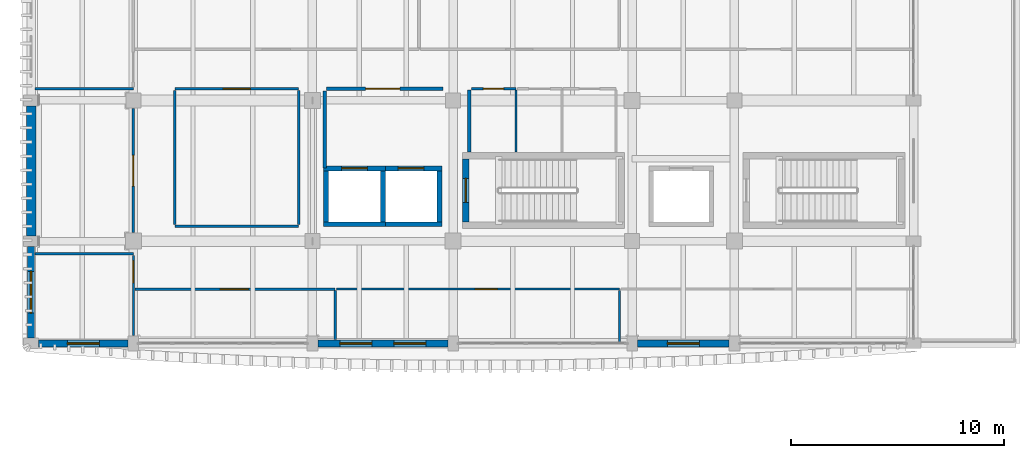
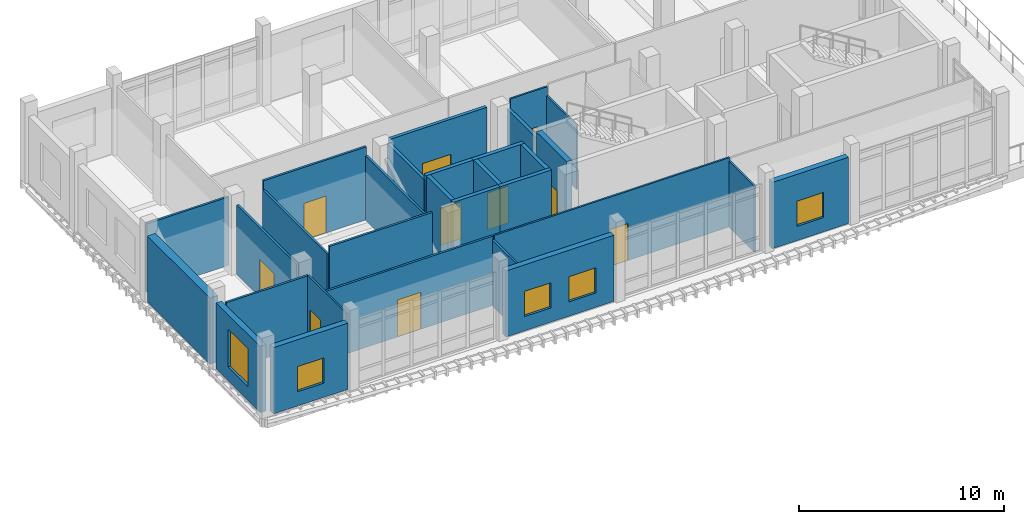
# One storey, part 27 of 50: 30 walls, 10 doors, 5 windows, 15 openings.
"""IFC4 building model written with IfcOpenShell, lengths in metres."""

from ifc_helpers import new_model, si_unit, direction, frame, frame_2d, origin, place, context, subcontext, project, spatial, rectangle, extrude, material, layer, layer_set, type_object, element, fill, save


model = new_model("IFC4")

# Units and contexts
model_context = context("Model", 3, precision=1e-05, world=origin(), true_north=direction((0.0, 1.0)))
body_context = subcontext(model_context, "Body", "Model", "MODEL_VIEW")
ifc_project = project(units=[si_unit("LENGTHUNIT", "METRE"), si_unit("AREAUNIT", "SQUARE_METRE"), si_unit("VOLUMEUNIT", "CUBIC_METRE"), si_unit("PLANEANGLEUNIT", "RADIAN"), si_unit("MASSUNIT", "GRAM", prefix="KILO")], contexts=[model_context])

# Site, building, storey
site_placement = place(None, origin())
site = spatial("IfcSite", under=ifc_project, at=site_placement, CompositionType="ELEMENT")
building_placement = place(site_placement, origin())
building = spatial("IfcBuilding", under=site, at=building_placement, Name="Dornvale Research Institute", CompositionType="ELEMENT")
storey_placement = place(building_placement, frame((0.0, 0.0, 19.800048828125)))
storey = spatial("IfcBuildingStorey", under=building, at=storey_placement, Name="L04", CompositionType="ELEMENT", Elevation=19.800048828125)

# Wall
ifc_material_1 = material(Name="Acoustic Insulated Double-Stud Laboratory Partition")
ifc_layer_1 = layer(ifc_material_1, 0.1201171875)
ifc_layer_set_1 = layer_set([ifc_layer_1], Name="Acoustic Insulated Double-Stud Laboratory Partition")
wall_type_1 = type_object("IfcWallType", Name="Partition_Dry_120", PredefinedType="PARTITIONING", material=ifc_layer_set_1)
wall_1_placement = place(storey_placement, frame((6.75, 104.5, 0.0), z_axis=(0.0, 0.0, 1.0), x_axis=(1.0, 0.0, 0.0)))
element("IfcWall", 1, at=wall_1_placement, inside=storey, type_object=wall_type_1, Name="L04 V5 interior partition #406", PredefinedType="PARTITIONING", context=body_context, shape_type="SweptSolid", body=[
    extrude(rectangle(XDim=5.800048828125, YDim=0.1201171875, at=frame_2d((2.89990234375, 0.0))), origin(), (0.0, 0.0, 1.0), 4.344970703125),
])

# Wall, opening, door
wall_2_placement = place(storey_placement, frame((6.75, 110.949951171875, 0.0), z_axis=(0.0, 0.0, 1.0), x_axis=(1.0, 0.0, 0.0)))
wall_2 = element("IfcWall", 2, at=wall_2_placement, inside=storey, type_object=wall_type_1, Name="L04 V5 interior partition #407", PredefinedType="PARTITIONING", context=body_context, shape_type="SweptSolid", body=[
    extrude(rectangle(XDim=5.800048828125, YDim=0.1201171875, at=frame_2d((2.89990234375, 0.0))), origin(), (0.0, 0.0, 1.0), 4.344970703125),
])
opening_1_placement = place(wall_2_placement, frame((2.27001953125, 0.0, 0.0)))
opening_1 = element("IfcOpeningElement", 3, at=opening_1_placement, cuts=wall_2, Name="Opening ID-10", PredefinedType="OPENING", context=body_context, shape_type="SweptSolid", body=[
    extrude(rectangle(XDim=1.260009765625, YDim=2.199951171875, at=frame_2d((0.6298828125, 1.10009765625))), frame((0.0, 0.074951171875, 0.0), z_axis=(0.0, -1.0, 0.0), x_axis=(1.0, 0.0, 0.0)), (0.0, 0.0, 1.0), 0.150146484375),
])
ifc_material_2 = material(Name="Phenolic-Faced Solid-Core Laboratory Door Assembly")
door_type_1 = type_object("IfcDoorType", Name="Door_DryLab_1260x2200", OperationType="SINGLE_SWING_LEFT", PredefinedType="DOOR", material=ifc_material_2)
door_1_placement = place(opening_1_placement, origin())
door_1 = element("IfcDoor", 4, at=door_1_placement, inside=storey, type_object=door_type_1, Name="L04 Atmospheric Sensor Calibration Lab L04 door #164", OperationType="SINGLE_SWING_LEFT", OverallHeight=2.199951171875, OverallWidth=1.260009765625, PredefinedType="DOOR", context=body_context, shape_type="SweptSolid", body=[
    extrude(rectangle(XDim=1.260009765625, YDim=2.199951171875, at=frame_2d((0.6298828125, 1.10009765625))), frame((0.0, 0.02490234375, 0.0), z_axis=(0.0, -1.0, 0.0), x_axis=(1.0, 0.0, 0.0)), (0.0, 0.0, 1.0), 0.050048828125),
])
fill(opening_1, door_1)

# Walls
for number, where, z_axis, x_axis, name in (
    (5, (6.75, 104.574951171875, 0.0), (0.0, 0.0, 1.0), (0.0, 1.0, 0.0), "L04 V5 interior partition #408"),
    (6, (12.550048828125, 104.574951171875, 0.0), (0.0, 0.0, 1.0), (0.0, 1.0, 0.0), "L04 V5 interior partition #409"),
):
    element("IfcWall", number, at=place(storey_placement, frame(where, z_axis=z_axis, x_axis=x_axis)), inside=storey, type_object=wall_type_1, Name=name, PredefinedType="PARTITIONING", context=body_context, shape_type="SweptSolid", body=[
        extrude(rectangle(XDim=6.300048828125, YDim=0.1201171875, at=frame_2d((3.14990234375, 0.0))), origin(), (0.0, 0.0, 1.0), 3.829833984375),
    ])
for number, where, z_axis, x_axis, name in (
    (7, (0.175048828125, 103.199951171875, 0.0), (0.0, 0.0, 1.0), (1.0, 0.0, 0.0), "L04 V5 interior partition #410"),
    (8, (0.175048828125, 110.949951171875, 0.0), (0.0, 0.0, 1.0), (1.0, 0.0, 0.0), "L04 V5 interior partition #411"),
):
    element("IfcWall", number, at=place(storey_placement, frame(where, z_axis=z_axis, x_axis=x_axis)), inside=storey, type_object=wall_type_1, Name=name, PredefinedType="PARTITIONING", context=body_context, shape_type="SweptSolid", body=[
        extrude(rectangle(XDim=4.625, YDim=0.1201171875, at=frame_2d((2.3125, 0.0))), origin(), (0.0, 0.0, 1.0), 4.079833984375),
    ])

# Wall, opening, door
wall_3_placement = place(storey_placement, frame((4.800048828125, 104.195068359375, 0.0), z_axis=(0.0, 0.0, 1.0), x_axis=(0.0, 1.0, 0.0)))
wall_3 = element("IfcWall", 9, at=wall_3_placement, inside=storey, type_object=wall_type_1, Name="L04 V5 interior partition #412", PredefinedType="PARTITIONING", context=body_context, shape_type="SweptSolid", body=[
    extrude(rectangle(XDim=5.8349609375, YDim=0.1201171875, at=frame_2d((2.91748046875, 0.0))), origin(), (0.0, 0.0, 1.0), 4.1298828125),
])
opening_2_placement = place(wall_3_placement, frame((2.18505859375, 0.0, 0.0)))
opening_2 = element("IfcOpeningElement", 10, at=opening_2_placement, cuts=wall_3, Name="Opening ID-07", PredefinedType="OPENING", context=body_context, shape_type="SweptSolid", body=[
    extrude(rectangle(XDim=1.43994140625, YDim=2.25, at=frame_2d((0.719970703125, 1.125))), frame((0.0, 0.074951171875, 0.0), z_axis=(0.0, -1.0, 0.0), x_axis=(1.0, 0.0, 0.0)), (0.0, 0.0, 1.0), 0.150146484375),
])
ifc_material_3 = material(Name="Insulated Fire-Rated Hollow Metal Door Assembly")
door_type_2 = type_object("IfcDoorType", Name="Door_DryLab_1440x2250", OperationType="SINGLE_SWING_LEFT", PredefinedType="DOOR", material=ifc_material_3)
door_2_placement = place(opening_2_placement, origin())
door_2 = element("IfcDoor", 11, at=door_2_placement, inside=storey, type_object=door_type_2, Name="L04 Barometric Reference Instrument Room L04 door #165", OperationType="SINGLE_SWING_RIGHT", OverallHeight=2.25, OverallWidth=1.43994140625, PredefinedType="DOOR", context=body_context, shape_type="SweptSolid", body=[
    extrude(rectangle(XDim=1.43994140625, YDim=2.25, at=frame_2d((0.719970703125, 1.125))), frame((0.0, 0.02490234375, 0.0), z_axis=(0.0, -1.0, 0.0), x_axis=(1.0, 0.0, 0.0)), (0.0, 0.0, 1.0), 0.050048828125),
])
fill(opening_2, door_2)

wall_4_placement = place(storey_placement, frame((4.864990234375, 101.550048828125, 0.0), z_axis=(0.0, 0.0, 1.0), x_axis=(1.0, 0.0, 0.0)))
wall_4 = element("IfcWall", 12, at=wall_4_placement, inside=storey, type_object=wall_type_1, Name="L04 V5 interior partition #421", PredefinedType="PARTITIONING", context=body_context, shape_type="SweptSolid", body=[
    extrude(rectangle(XDim=9.39501953125, YDim=0.1201171875, at=frame_2d((4.697509765625, 0.0))), origin(), (0.0, 0.0, 1.0), 4.1298828125),
])
opening_3_placement = place(wall_4_placement, frame((4.0048828125, 0.0, 0.0)))
opening_3 = element("IfcOpeningElement", 13, at=opening_3_placement, cuts=wall_4, Name="Opening ID-09", PredefinedType="OPENING", context=body_context, shape_type="SweptSolid", body=[
    extrude(rectangle(XDim=1.320068359375, YDim=2.199951171875, at=frame_2d((0.66015625, 1.10009765625))), frame((0.0, 0.074951171875, 0.0), z_axis=(0.0, -1.0, 0.0), x_axis=(1.0, 0.0, 0.0)), (0.0, 0.0, 1.0), 0.150146484375),
])
ifc_material_4 = material(Name="Phenolic-Faced Solid-Core Laboratory Door Assembly")
door_type_3 = type_object("IfcDoorType", Name="Door_DryLab_1320x2200", OperationType="SINGLE_SWING_LEFT", PredefinedType="DOOR", material=ifc_material_4)
door_3_placement = place(opening_3_placement, origin())
door_3 = element("IfcDoor", 14, at=door_3_placement, inside=storey, type_object=door_type_3, Name="L04 Atmospheric Physics Dry Laboratory door #171", OperationType="SINGLE_SWING_RIGHT", OverallHeight=2.199951171875, OverallWidth=1.320068359375, PredefinedType="DOOR", context=body_context, shape_type="SweptSolid", body=[
    extrude(rectangle(XDim=1.320068359375, YDim=2.199951171875, at=frame_2d((0.66015625, 1.10009765625))), frame((0.0, 0.02490234375, 0.0), z_axis=(0.0, -1.0, 0.0), x_axis=(1.0, 0.0, 0.0)), (0.0, 0.0, 1.0), 0.050048828125),
])
fill(opening_3, door_3)

# Wall
wall_5_placement = place(storey_placement, frame((14.260009765625, 99.175048828125, 0.0), z_axis=(0.0, 0.0, 1.0), x_axis=(0.0, 1.0, 0.0)))
element("IfcWall", 15, at=wall_5_placement, inside=storey, type_object=wall_type_1, Name="L04 V5 interior partition #422", PredefinedType="PARTITIONING", context=body_context, shape_type="SweptSolid", body=[
    extrude(rectangle(XDim=2.300048828125, YDim=0.1201171875, at=frame_2d((1.14990234375, 0.0))), origin(), (0.0, 0.0, 1.0), 3.929931640625),
])

# Wall, opening, door
ifc_material_5 = material(Name="Fire-Rated Gypsum Board on Cold-Formed Steel Studs", Category="steel")
ifc_layer_2 = layer(ifc_material_5, 0.179931640625)
ifc_layer_set_2 = layer_set([ifc_layer_2], Name="Fire-Rated Gypsum Board on Cold-Formed Steel Studs")
wall_type_2 = type_object("IfcWallType", Name="Partition_FireLobby_180", PredefinedType="PARTITIONING", material=ifc_layer_set_2)
wall_6_placement = place(storey_placement, frame((13.85009765625, 110.949951171875, 0.0), z_axis=(0.0, 0.0, 1.0), x_axis=(1.0, 0.0, 0.0)))
wall_6 = element("IfcWall", 16, at=wall_6_placement, inside=storey, type_object=wall_type_2, Name="L04 Fire Service Access Elevator Lobby north rated partition", PredefinedType="PARTITIONING", context=body_context, shape_type="SweptSolid", body=[
    extrude(rectangle(XDim=5.469970703125, YDim=0.179931640625, at=frame_2d((2.73486328125, 0.0))), origin(), (0.0, 0.0, 1.0), 4.344970703125),
])
opening_4_placement = place(wall_6_placement, frame((1.85009765625, 0.0, 0.0)))
opening_4 = element("IfcOpeningElement", 17, at=opening_4_placement, cuts=wall_6, Name="Opening FD-01", PredefinedType="OPENING", context=body_context, shape_type="SweptSolid", body=[
    extrude(rectangle(XDim=1.60009765625, YDim=2.25, at=frame_2d((0.800048828125, 1.125))), frame((0.0, 0.10498046875, 0.0), z_axis=(0.0, -1.0, 0.0), x_axis=(1.0, 0.0, 0.0)), (0.0, 0.0, 1.0), 0.2099609375),
])
ifc_material_6 = material(Name="Insulated Fire-Rated Hollow Metal Door Assembly")
door_type_4 = type_object("IfcDoorType", Name="Door_FireLobby_1600x2250", OperationType="SINGLE_SWING_LEFT", PredefinedType="DOOR", material=ifc_material_6)
door_4_placement = place(opening_4_placement, origin())
door_4 = element("IfcDoor", 18, at=door_4_placement, inside=storey, type_object=door_type_4, Name="L04 Fire Service Access Elevator Lobby door", OperationType="DOUBLE_DOOR_SINGLE_SWING", OverallHeight=2.25, OverallWidth=1.60009765625, PredefinedType="DOOR", context=body_context, shape_type="SweptSolid", body=[
    extrude(rectangle(XDim=1.60009765625, YDim=2.25, at=frame_2d((0.800048828125, 1.125))), frame((0.0, 0.02490234375, 0.0), z_axis=(0.0, -1.0, 0.0), x_axis=(1.0, 0.0, 0.0)), (0.0, 0.0, 1.0), 0.050048828125),
])
fill(opening_4, door_4)

# Walls
wall_7_placement = place(storey_placement, frame((13.780029296875, 107.22998046875, 0.0), z_axis=(0.0, 0.0, 1.0), x_axis=(0.0, 1.0, 0.0)))
element("IfcWall", 19, at=wall_7_placement, inside=storey, type_object=wall_type_2, Name="L04 Fire Service Access Elevator Lobby west rated partition", PredefinedType="PARTITIONING", context=body_context, shape_type="SweptSolid", body=[
    extrude(rectangle(XDim=3.610107421875, YDim=0.179931640625, at=frame_2d((1.80517578125, 0.0))), origin(), (0.0, 0.0, 1.0), 4.179931640625),
])
wall_8_placement = place(storey_placement, frame((20.56005859375, 107.97998046875, 0.0), z_axis=(0.0, 0.0, 1.0), x_axis=(0.0, 1.0, 0.0)))
element("IfcWall", 20, at=wall_8_placement, inside=storey, type_object=wall_type_2, Name="L04 Fire Service Access Elevator Lobby east rated partition", PredefinedType="PARTITIONING", context=body_context, shape_type="SweptSolid", body=[
    extrude(rectangle(XDim=2.909912109375, YDim=0.179931640625, at=frame_2d((1.455078125, 0.0))), origin(), (0.0, 0.0, 1.0), 3.829833984375),
])

# Wall, opening, door
ifc_material_7 = material(Name="Acoustic Insulated Double-Stud Laboratory Partition")
ifc_layer_3 = layer(ifc_material_7, 0.10009765625)
ifc_layer_set_3 = layer_set([ifc_layer_3], Name="Acoustic Insulated Double-Stud Laboratory Partition")
wall_type_3 = type_object("IfcWallType", Name="Partition_Office_100", PredefinedType="PARTITIONING", material=ifc_layer_set_3)
wall_9_placement = place(storey_placement, frame((20.6650390625, 110.949951171875, 0.0), z_axis=(0.0, 0.0, 1.0), x_axis=(1.0, 0.0, 0.0)))
wall_9 = element("IfcWall", 21, at=wall_9_placement, inside=storey, type_object=wall_type_3, Name="L04 V5 interior partition #400", PredefinedType="PARTITIONING", context=body_context, shape_type="SweptSolid", body=[
    extrude(rectangle(XDim=2.0849609375, YDim=0.10009765625, at=frame_2d((1.04248046875, 0.0))), origin(), (0.0, 0.0, 1.0), 4.344970703125),
])
opening_5_placement = place(wall_9_placement, frame((0.56005859375, 0.0, 0.0)))
opening_5 = element("IfcOpeningElement", 22, at=opening_5_placement, cuts=wall_9, Name="Opening ID-23", PredefinedType="OPENING", context=body_context, shape_type="SweptSolid", body=[
    extrude(rectangle(XDim=0.949951171875, YDim=2.14990234375, at=frame_2d((0.47509765625, 1.074951171875))), frame((0.0, 0.06494140625, 0.0), z_axis=(0.0, -1.0, 0.0), x_axis=(1.0, 0.0, 0.0)), (0.0, 0.0, 1.0), 0.130126953125),
])
ifc_material_8 = material(Name="Phenolic-Faced Solid-Core Laboratory Door Assembly")
door_type_5 = type_object("IfcDoorType", Name="Door_WC_950x2150", OperationType="SINGLE_SWING_LEFT", PredefinedType="DOOR", material=ifc_material_8)
door_5_placement = place(opening_5_placement, origin())
door_5 = element("IfcDoor", 23, at=door_5_placement, inside=storey, type_object=door_type_5, Name="L04 Male Restroom L04 door #161", OperationType="SINGLE_SWING_RIGHT", OverallHeight=2.14990234375, OverallWidth=0.949951171875, PredefinedType="DOOR", context=body_context, shape_type="SweptSolid", body=[
    extrude(rectangle(XDim=0.949951171875, YDim=2.14990234375, at=frame_2d((0.47509765625, 1.074951171875))), frame((0.0, 0.02490234375, 0.0), z_axis=(0.0, -1.0, 0.0), x_axis=(1.0, 0.0, 0.0)), (0.0, 0.0, 1.0), 0.050048828125),
])
fill(opening_5, door_5)

# Wall
wall_10_placement = place(storey_placement, frame((22.75, 107.97998046875, 0.0), z_axis=(0.0, 0.0, 1.0), x_axis=(0.0, 1.0, 0.0)))
element("IfcWall", 24, at=wall_10_placement, inside=storey, type_object=wall_type_3, Name="L04 V5 interior partition #401", PredefinedType="PARTITIONING", context=body_context, shape_type="SweptSolid", body=[
    extrude(rectangle(XDim=2.905029296875, YDim=0.10009765625, at=frame_2d((1.45263671875, 0.0))), origin(), (0.0, 0.0, 1.0), 3.829833984375),
])

# Wall, opening, door
wall_11_placement = place(storey_placement, frame((4.800048828125, 99.3701171875, 0.0), z_axis=(0.0, 0.0, 1.0), x_axis=(0.0, 1.0, 0.0)))
wall_11 = element("IfcWall", 25, at=wall_11_placement, inside=storey, type_object=wall_type_3, Name="L04 V5 interior partition #420", PredefinedType="PARTITIONING", context=body_context, shape_type="SweptSolid", body=[
    extrude(rectangle(XDim=3.7548828125, YDim=0.10009765625, at=frame_2d((1.87744140625, 0.0))), origin(), (0.0, 0.0, 1.0), 4.1298828125),
])
opening_6_placement = place(wall_11_placement, frame((2.485107421875, 0.0, 0.0)))
opening_6 = element("IfcOpeningElement", 26, at=opening_6_placement, cuts=wall_11, Name="Opening ID-20", PredefinedType="OPENING", context=body_context, shape_type="SweptSolid", body=[
    extrude(rectangle(XDim=1.02001953125, YDim=2.199951171875, at=frame_2d((0.510009765625, 1.10009765625))), frame((0.0, 0.06494140625, 0.0), z_axis=(0.0, -1.0, 0.0), x_axis=(1.0, 0.0, 0.0)), (0.0, 0.0, 1.0), 0.130126953125),
])
ifc_material_9 = material(Name="Phenolic-Faced Solid-Core Laboratory Door Assembly")
door_type_6 = type_object("IfcDoorType", Name="Door_WriteUp_1020x2200", OperationType="SINGLE_SWING_LEFT", PredefinedType="DOOR", material=ifc_material_9)
door_6_placement = place(opening_6_placement, origin())
door_6 = element("IfcDoor", 27, at=door_6_placement, inside=storey, type_object=door_type_6, Name="L04 Research Instrument Study L04 door #170", OperationType="SINGLE_SWING_LEFT", OverallHeight=2.199951171875, OverallWidth=1.02001953125, PredefinedType="DOOR", context=body_context, shape_type="SweptSolid", body=[
    extrude(rectangle(XDim=1.02001953125, YDim=2.199951171875, at=frame_2d((0.510009765625, 1.10009765625))), frame((0.0, 0.02490234375, 0.0), z_axis=(0.0, -1.0, 0.0), x_axis=(1.0, 0.0, 0.0)), (0.0, 0.0, 1.0), 0.050048828125),
])
fill(opening_6, door_6)

wall_12_placement = place(storey_placement, frame((14.3349609375, 101.550048828125, 0.0), z_axis=(0.0, 0.0, 1.0), x_axis=(1.0, 0.0, 0.0)))
wall_12 = element("IfcWall", 28, at=wall_12_placement, inside=storey, type_object=wall_type_3, Name="L04 V5 interior partition #423", PredefinedType="PARTITIONING", context=body_context, shape_type="SweptSolid", body=[
    extrude(rectangle(XDim=13.26513671875, YDim=0.10009765625, at=frame_2d((6.632568359375, 0.0))), origin(), (0.0, 0.0, 1.0), 4.1298828125),
])
opening_7_placement = place(wall_12_placement, frame((6.5048828125, 0.0, 0.0)))
opening_7 = element("IfcOpeningElement", 29, at=opening_7_placement, cuts=wall_12, Name="Opening ID-20", PredefinedType="OPENING", context=body_context, shape_type="SweptSolid", body=[
    extrude(rectangle(XDim=1.02001953125, YDim=2.199951171875, at=frame_2d((0.510009765625, 1.10009765625))), frame((0.0, 0.06494140625, 0.0), z_axis=(0.0, -1.0, 0.0), x_axis=(1.0, 0.0, 0.0)), (0.0, 0.0, 1.0), 0.130126953125),
])
door_7_placement = place(opening_7_placement, origin())
door_7 = element("IfcDoor", 30, at=door_7_placement, inside=storey, type_object=door_type_6, Name="L04 Researcher Write-Up Studio L04-S door #172", OperationType="SINGLE_SWING_LEFT", OverallHeight=2.199951171875, OverallWidth=1.02001953125, PredefinedType="DOOR", context=body_context, shape_type="SweptSolid", body=[
    extrude(rectangle(XDim=1.02001953125, YDim=2.199951171875, at=frame_2d((0.510009765625, 1.10009765625))), frame((0.0, 0.02490234375, 0.0), z_axis=(0.0, -1.0, 0.0), x_axis=(1.0, 0.0, 0.0)), (0.0, 0.0, 1.0), 0.050048828125),
])
fill(opening_7, door_7)

# Wall
wall_13_placement = place(storey_placement, frame((27.60009765625, 99.0400390625, 0.0), z_axis=(0.0, 0.0, 1.0), x_axis=(0.0, 1.0, 0.0)))
element("IfcWall", 31, at=wall_13_placement, inside=storey, type_object=wall_type_3, Name="L04 V5 interior partition #424", PredefinedType="PARTITIONING", context=body_context, shape_type="SweptSolid", body=[
    extrude(rectangle(XDim=2.445068359375, YDim=0.10009765625, at=frame_2d((1.22265625, 0.0))), origin(), (0.0, 0.0, 1.0), 3.929931640625),
])

# Wall, opening, door
ifc_material_10 = material(Name="Concrete f'c 50 MPa (C40/50)", Category="concrete")
ifc_layer_4 = layer(ifc_material_10, 0.300048828125)
ifc_layer_set_4 = layer_set([ifc_layer_4], Name="Concrete f'c 50 MPa (C40/50)")
wall_type_4 = type_object("IfcWallType", Name="ShearWall_Core_300", PredefinedType="SHEAR", material=ifc_layer_set_4)
wall_14_placement = place(storey_placement, frame((20.39990234375, 104.699951171875, 0.0), z_axis=(0.0, 0.0, 1.0), x_axis=(0.0, 1.0, 0.0)))
wall_14 = element("IfcWall", 32, at=wall_14_placement, inside=storey, type_object=wall_type_4, Name="L04 ST-1 shaft shear wall west", PredefinedType="SHEAR", context=body_context, shape_type="SweptSolid", body=[
    extrude(rectangle(XDim=2.9599609375, YDim=0.300048828125, at=frame_2d((1.47998046875, 0.0))), origin(), (0.0, 0.0, 1.0), 4.5),
])
opening_8_placement = place(wall_14_placement, frame((0.919921875, 0.0, 0.0)))
opening_8 = element("IfcOpeningElement", 33, at=opening_8_placement, cuts=wall_14, Name="Opening SD-01", PredefinedType="OPENING", context=body_context, shape_type="SweptSolid", body=[
    extrude(rectangle(XDim=1.1201171875, YDim=2.199951171875, at=frame_2d((0.56005859375, 1.10009765625))), frame((0.0, 0.1650390625, 0.0), z_axis=(0.0, -1.0, 0.0), x_axis=(1.0, 0.0, 0.0)), (0.0, 0.0, 1.0), 0.330078125),
])
ifc_material_11 = material(Name="Insulated Fire-Rated Hollow Metal Door Assembly")
door_type_7 = type_object("IfcDoorType", Name="Door_Stair_1120x2200", OperationType="SINGLE_SWING_LEFT", PredefinedType="DOOR", material=ifc_material_11)
door_8_placement = place(opening_8_placement, origin())
door_8 = element("IfcDoor", 34, at=door_8_placement, inside=storey, type_object=door_type_7, Name="L04 ST-1 exit stair door #6", OperationType="SINGLE_SWING_RIGHT", OverallHeight=2.199951171875, OverallWidth=1.1201171875, PredefinedType="DOOR", context=body_context, shape_type="SweptSolid", body=[
    extrude(rectangle(XDim=1.1201171875, YDim=2.199951171875, at=frame_2d((0.56005859375, 1.10009765625))), frame((0.0, 0.02490234375, 0.0), z_axis=(0.0, -1.0, 0.0), x_axis=(1.0, 0.0, 0.0)), (0.0, 0.0, 1.0), 0.050048828125),
])
fill(opening_8, door_8)

# Wall
ifc_material_12 = material(Name="Concrete f'c 45 MPa (C35/45)", Category="concrete")
ifc_layer_5 = layer(ifc_material_12, 0.219970703125)
ifc_layer_set_5 = layer_set([ifc_layer_5], Name="Concrete f'c 45 MPa (C35/45)")
wall_type_5 = type_object("IfcWallType", Name="ShearWall_Shaft_220", PredefinedType="SHEAR", material=ifc_layer_set_5)
wall_15_placement = place(storey_placement, frame((13.72998046875, 104.590087890625, 0.0), z_axis=(0.0, 0.0, 1.0), x_axis=(1.0, 0.0, 0.0)))
element("IfcWall", 35, at=wall_15_placement, inside=storey, type_object=wall_type_5, Name="L04 FS1 elevator shaft wall south", PredefinedType="SHEAR", context=body_context, shape_type="SweptSolid", body=[
    extrude(rectangle(XDim=2.89013671875, YDim=0.219970703125, at=frame_2d((1.445068359375, 0.0))), origin(), (0.0, 0.0, 1.0), 4.5),
])

# Wall, opening, door
wall_16_placement = place(storey_placement, frame((13.72998046875, 107.2099609375, 0.0), z_axis=(0.0, 0.0, 1.0), x_axis=(1.0, 0.0, 0.0)))
wall_16 = element("IfcWall", 36, at=wall_16_placement, inside=storey, type_object=wall_type_5, Name="L04 FS1 elevator shaft wall north", PredefinedType="SHEAR", context=body_context, shape_type="SweptSolid", body=[
    extrude(rectangle(XDim=2.89013671875, YDim=0.219970703125, at=frame_2d((1.445068359375, 0.0))), origin(), (0.0, 0.0, 1.0), 4.5),
])
opening_9_placement = place(wall_16_placement, frame((0.844970703125, 0.0, 0.0)))
opening_9 = element("IfcOpeningElement", 37, at=opening_9_placement, cuts=wall_16, Name="Opening LD-01", PredefinedType="OPENING", context=body_context, shape_type="SweptSolid", body=[
    extrude(rectangle(XDim=1.199951171875, YDim=2.199951171875, at=frame_2d((0.60009765625, 1.10009765625))), frame((0.0, 0.125, 0.0), z_axis=(0.0, -1.0, 0.0), x_axis=(1.0, 0.0, 0.0)), (0.0, 0.0, 1.0), 0.25),
])
ifc_material_13 = material(Name="Brushed Stainless Steel Sliding Elevator Landing Door", Category="steel")
door_type_8 = type_object("IfcDoorType", Name="Door_LiftLanding_FSAE_1200x2200", OperationType="SINGLE_SWING_LEFT", PredefinedType="DOOR", material=ifc_material_13)
door_9_placement = place(opening_9_placement, origin())
door_9 = element("IfcDoor", 38, at=door_9_placement, inside=storey, type_object=door_type_8, Name="L04 FS1 sliding elevator landing door #6", OperationType="DOUBLE_DOOR_SLIDING", OverallHeight=2.199951171875, OverallWidth=1.199951171875, PredefinedType="DOOR", context=body_context, shape_type="SweptSolid", body=[
    extrude(rectangle(XDim=1.199951171875, YDim=2.199951171875, at=frame_2d((0.60009765625, 1.10009765625))), frame((0.0, 0.02490234375, 0.0), z_axis=(0.0, -1.0, 0.0), x_axis=(1.0, 0.0, 0.0)), (0.0, 0.0, 1.0), 0.050048828125),
])
fill(opening_9, door_9)

# Walls
for number, where, z_axis, x_axis, name in (
    (39, (13.840087890625, 104.699951171875, 0.0), (0.0, 0.0, 1.0), (0.0, 1.0, 0.0), "L04 FS1 elevator shaft wall west"),
    (40, (16.510009765625, 104.699951171875, 0.0), (0.0, 0.0, 1.0), (0.0, 1.0, 0.0), "L04 FS1 elevator shaft wall east"),
):
    element("IfcWall", number, at=place(storey_placement, frame(where, z_axis=z_axis, x_axis=x_axis)), inside=storey, type_object=wall_type_5, Name=name, PredefinedType="SHEAR", context=body_context, shape_type="SweptSolid", body=[
        extrude(rectangle(XDim=2.400146484375, YDim=0.219970703125, at=frame_2d((1.2001953125, 0.0))), origin(), (0.0, 0.0, 1.0), 4.5),
    ])
wall_17_placement = place(storey_placement, frame((16.3798828125, 104.590087890625, 0.0), z_axis=(0.0, 0.0, 1.0), x_axis=(1.0, 0.0, 0.0)))
element("IfcWall", 41, at=wall_17_placement, inside=storey, type_object=wall_type_5, Name="L04 FS2 elevator shaft wall south", PredefinedType="SHEAR", context=body_context, shape_type="SweptSolid", body=[
    extrude(rectangle(XDim=2.89013671875, YDim=0.219970703125, at=frame_2d((1.445068359375, 0.0))), origin(), (0.0, 0.0, 1.0), 4.5),
])

# Wall, opening, door
wall_18_placement = place(storey_placement, frame((16.3798828125, 107.2099609375, 0.0), z_axis=(0.0, 0.0, 1.0), x_axis=(1.0, 0.0, 0.0)))
wall_18 = element("IfcWall", 42, at=wall_18_placement, inside=storey, type_object=wall_type_5, Name="L04 FS2 elevator shaft wall north", PredefinedType="SHEAR", context=body_context, shape_type="SweptSolid", body=[
    extrude(rectangle(XDim=2.89013671875, YDim=0.219970703125, at=frame_2d((1.445068359375, 0.0))), origin(), (0.0, 0.0, 1.0), 4.5),
])
opening_10_placement = place(wall_18_placement, frame((0.844970703125, 0.0, 0.0)))
opening_10 = element("IfcOpeningElement", 43, at=opening_10_placement, cuts=wall_18, Name="Opening LD-01", PredefinedType="OPENING", context=body_context, shape_type="SweptSolid", body=[
    extrude(rectangle(XDim=1.199951171875, YDim=2.199951171875, at=frame_2d((0.60009765625, 1.10009765625))), frame((0.0, 0.125, 0.0), z_axis=(0.0, -1.0, 0.0), x_axis=(1.0, 0.0, 0.0)), (0.0, 0.0, 1.0), 0.25),
])
door_10_placement = place(opening_10_placement, origin())
door_10 = element("IfcDoor", 44, at=door_10_placement, inside=storey, type_object=door_type_8, Name="L04 FS2 sliding elevator landing door #18", OperationType="DOUBLE_DOOR_SLIDING", OverallHeight=2.199951171875, OverallWidth=1.199951171875, PredefinedType="DOOR", context=body_context, shape_type="SweptSolid", body=[
    extrude(rectangle(XDim=1.199951171875, YDim=2.199951171875, at=frame_2d((0.60009765625, 1.10009765625))), frame((0.0, 0.02490234375, 0.0), z_axis=(0.0, -1.0, 0.0), x_axis=(1.0, 0.0, 0.0)), (0.0, 0.0, 1.0), 0.050048828125),
])
fill(opening_10, door_10)

# Walls
wall_19_placement = place(storey_placement, frame((19.159912109375, 104.699951171875, 0.0), z_axis=(0.0, 0.0, 1.0), x_axis=(0.0, 1.0, 0.0)))
element("IfcWall", 45, at=wall_19_placement, inside=storey, type_object=wall_type_5, Name="L04 FS2 elevator shaft wall east", PredefinedType="SHEAR", context=body_context, shape_type="SweptSolid", body=[
    extrude(rectangle(XDim=2.400146484375, YDim=0.219970703125, at=frame_2d((1.2001953125, 0.0))), origin(), (0.0, 0.0, 1.0), 4.5),
])
ifc_material_14 = material(Name="Precast Concrete f'c 40 MPa (C32/40) and Glazed Terracotta Backup Wall", Category="masonry")
ifc_layer_6 = layer(ifc_material_14, 0.449951171875)
ifc_layer_set_6 = layer_set([ifc_layer_6], Name="Precast Concrete f'c 40 MPa (C32/40) and Glazed Terracotta Backup Wall")
wall_type_6 = type_object("IfcWallType", Name="SolidWall_ShearBraceBay_450", PredefinedType="SOLIDWALL", material=ifc_layer_set_6)
wall_20_placement = place(storey_placement, frame((0.0, 104.050048828125, 0.0), z_axis=(0.0, 0.0, 1.0), x_axis=(0.0, 1.0, 0.0)))
element("IfcWall", 46, at=wall_20_placement, inside=storey, type_object=wall_type_6, Name="L04 V5 west exterior wall #346", PredefinedType="SOLIDWALL", context=body_context, shape_type="SweptSolid", body=[
    extrude(rectangle(XDim=6.099853515625, YDim=0.449951171875, at=frame_2d((3.0498046875, 0.0))), origin(), (0.0, 0.0, 1.0), 3.949951171875),
])

# Wall, opening, window
ifc_material_15 = material(Name="Catalan Pressed Brick and Insulated Cavity Assembly", Category="masonry")
ifc_layer_7 = layer(ifc_material_15, 0.320068359375)
ifc_layer_set_7 = layer_set([ifc_layer_7], Name="Catalan Pressed Brick and Insulated Cavity Assembly")
wall_type_7 = type_object("IfcWallType", Name="StandardWall_BrickCavity_320", PredefinedType="STANDARD", material=ifc_layer_set_7)
wall_21_placement = place(storey_placement, frame((0.0, 99.25, 0.0), z_axis=(0.0, 0.0, 1.0), x_axis=(0.0, 1.0, 0.0)))
wall_21 = element("IfcWall", 47, at=wall_21_placement, inside=storey, type_object=wall_type_7, Name="L04 V5 west exterior wall #345", PredefinedType="STANDARD", context=body_context, shape_type="SweptSolid", body=[
    extrude(rectangle(XDim=4.300048828125, YDim=0.320068359375, at=frame_2d((2.14990234375, 0.0))), origin(), (0.0, 0.0, 1.0), 3.949951171875),
])
opening_11_placement = place(wall_21_placement, frame((1.175048828125, 0.0, 0.85009765625)))
opening_11 = element("IfcOpeningElement", 48, at=opening_11_placement, cuts=wall_21, Name="Opening W-42", PredefinedType="OPENING", context=body_context, shape_type="SweptSolid", body=[
    extrude(rectangle(XDim=1.949951171875, YDim=2.239990234375, at=frame_2d((0.97509765625, 1.1201171875))), frame((0.0, 0.175048828125, 0.0), z_axis=(0.0, -1.0, 0.0), x_axis=(1.0, 0.0, 0.0)), (0.0, 0.0, 1.0), 0.35009765625),
])
ifc_material_16 = material(Name="Low-E Argon Double Insulating Glazing Unit", Category="glass")
window_type_1 = type_object("IfcWindowType", Name="Window_Alu_1950x2240_42", PartitioningType="DOUBLE_PANEL_VERTICAL", PredefinedType="WINDOW", material=ifc_material_16)
window_1_placement = place(opening_11_placement, origin())
window_1 = element("IfcWindow", 49, at=window_1_placement, inside=storey, type_object=window_type_1, Name="L04 V5 facade window W-42 #466", OverallHeight=2.239990234375, OverallWidth=1.949951171875, PartitioningType="DOUBLE_PANEL_VERTICAL", PredefinedType="WINDOW", context=body_context, shape_type="SweptSolid", body=[
    extrude(rectangle(XDim=1.949951171875, YDim=2.239990234375, at=frame_2d((0.97509765625, 1.1201171875))), frame((0.0, 0.030029296875, 0.0), z_axis=(0.0, -1.0, 0.0), x_axis=(1.0, 0.0, 0.0)), (0.0, 0.0, 1.0), 0.06005859375),
])
fill(opening_11, window_1)

wall_22_placement = place(storey_placement, frame((32.75, 99.0, 0.0), z_axis=(0.0, 0.0, 1.0), x_axis=(-1.0, 0.0, 0.0)))
wall_22 = element("IfcWall", 50, at=wall_22_placement, inside=storey, type_object=wall_type_7, Name="L04 V5 south exterior wall #354", PredefinedType="STANDARD", context=body_context, shape_type="SweptSolid", body=[
    extrude(rectangle(XDim=4.300048828125, YDim=0.320068359375, at=frame_2d((2.14990234375, 0.0))), origin(), (0.0, 0.0, 1.0), 3.949951171875),
])
opening_12_placement = place(wall_22_placement, frame((1.39990234375, 0.0, 0.85009765625)))
opening_12 = element("IfcOpeningElement", 51, at=opening_12_placement, cuts=wall_22, Name="Opening W-03", PredefinedType="OPENING", context=body_context, shape_type="SweptSolid", body=[
    extrude(rectangle(XDim=1.5, YDim=1.5, at=frame_2d((0.75, 0.75))), frame((0.0, 0.175048828125, 0.0), z_axis=(0.0, -1.0, 0.0), x_axis=(1.0, 0.0, 0.0)), (0.0, 0.0, 1.0), 0.35009765625),
])
ifc_material_17 = material(Name="Low-E Argon Double Insulating Glazing Unit", Category="glass")
window_type_2 = type_object("IfcWindowType", Name="Window_Alu_1500x1500_03", PartitioningType="SINGLE_PANEL", PredefinedType="WINDOW", material=ifc_material_17)
window_2_placement = place(opening_12_placement, origin())
window_2 = element("IfcWindow", 52, at=window_2_placement, inside=storey, type_object=window_type_2, Name="L04 V5 facade window W-03 #474", OverallHeight=1.5, OverallWidth=1.5, PartitioningType="SINGLE_PANEL", PredefinedType="WINDOW", context=body_context, shape_type="SweptSolid", body=[
    extrude(rectangle(XDim=1.5, YDim=1.5, at=frame_2d((0.75, 0.75))), frame((0.0, 0.030029296875, 0.0), z_axis=(0.0, -1.0, 0.0), x_axis=(1.0, 0.0, 0.0)), (0.0, 0.0, 1.0), 0.06005859375),
])
fill(opening_12, window_2)

# Wall, openings, windows
wall_23_placement = place(storey_placement, frame((19.550048828125, 99.0, 0.0), z_axis=(0.0, 0.0, 1.0), x_axis=(-1.0, 0.0, 0.0)))
wall_23 = element("IfcWall", 53, at=wall_23_placement, inside=storey, type_object=wall_type_7, Name="L04 V5 south exterior wall #355", PredefinedType="STANDARD", context=body_context, shape_type="SweptSolid", body=[
    extrude(rectangle(XDim=6.10009765625, YDim=0.320068359375, at=frame_2d((3.050048828125, 0.0))), origin(), (0.0, 0.0, 1.0), 3.929931640625),
])
opening_13_placement = place(wall_23_placement, frame((1.033203125, 0.0, 0.85009765625)))
opening_13 = element("IfcOpeningElement", 54, at=opening_13_placement, cuts=wall_23, Name="Opening W-03", PredefinedType="OPENING", context=body_context, shape_type="SweptSolid", body=[
    extrude(rectangle(XDim=1.5, YDim=1.5, at=frame_2d((0.75, 0.75))), frame((0.0, 0.175048828125, 0.0), z_axis=(0.0, -1.0, 0.0), x_axis=(1.0, 0.0, 0.0)), (0.0, 0.0, 1.0), 0.35009765625),
])
opening_14_placement = place(wall_23_placement, frame((3.566650390625, 0.0, 0.85009765625)))
opening_14 = element("IfcOpeningElement", 55, at=opening_14_placement, cuts=wall_23, Name="Opening W-03", PredefinedType="OPENING", context=body_context, shape_type="SweptSolid", body=[
    extrude(rectangle(XDim=1.5, YDim=1.5, at=frame_2d((0.75, 0.75))), frame((0.0, 0.175048828125, 0.0), z_axis=(0.0, -1.0, 0.0), x_axis=(1.0, 0.0, 0.0)), (0.0, 0.0, 1.0), 0.35009765625),
])
window_3_placement = place(opening_13_placement, origin())
window_3 = element("IfcWindow", 56, at=window_3_placement, inside=storey, type_object=window_type_2, Name="L04 V5 facade window W-03 #475", OverallHeight=1.5, OverallWidth=1.5, PartitioningType="SINGLE_PANEL", PredefinedType="WINDOW", context=body_context, shape_type="SweptSolid", body=[
    extrude(rectangle(XDim=1.5, YDim=1.5, at=frame_2d((0.75, 0.75))), frame((0.0, 0.030029296875, 0.0), z_axis=(0.0, -1.0, 0.0), x_axis=(1.0, 0.0, 0.0)), (0.0, 0.0, 1.0), 0.06005859375),
])
fill(opening_13, window_3)
window_4_placement = place(opening_14_placement, origin())
window_4 = element("IfcWindow", 57, at=window_4_placement, inside=storey, type_object=window_type_2, Name="L04 V5 facade window W-03 #476", OverallHeight=1.5, OverallWidth=1.5, PartitioningType="SINGLE_PANEL", PredefinedType="WINDOW", context=body_context, shape_type="SweptSolid", body=[
    extrude(rectangle(XDim=1.5, YDim=1.5, at=frame_2d((0.75, 0.75))), frame((0.0, 0.030029296875, 0.0), z_axis=(0.0, -1.0, 0.0), x_axis=(1.0, 0.0, 0.0)), (0.0, 0.0, 1.0), 0.06005859375),
])
fill(opening_14, window_4)

# Wall, opening, window
wall_24_placement = place(storey_placement, frame((4.550048828125, 99.0, 0.0), z_axis=(0.0, 0.0, 1.0), x_axis=(-1.0, 0.0, 0.0)))
wall_24 = element("IfcWall", 58, at=wall_24_placement, inside=storey, type_object=wall_type_7, Name="L04 V5 south exterior wall #356", PredefinedType="STANDARD", context=body_context, shape_type="SweptSolid", body=[
    extrude(rectangle(XDim=4.199951171875, YDim=0.320068359375, at=frame_2d((2.10009765625, 0.0))), origin(), (0.0, 0.0, 1.0), 3.949951171875),
])
opening_15_placement = place(wall_24_placement, frame((1.35009765625, 0.0, 0.85009765625)))
opening_15 = element("IfcOpeningElement", 59, at=opening_15_placement, cuts=wall_24, Name="Opening W-03", PredefinedType="OPENING", context=body_context, shape_type="SweptSolid", body=[
    extrude(rectangle(XDim=1.5, YDim=1.5, at=frame_2d((0.75, 0.75))), frame((0.0, 0.175048828125, 0.0), z_axis=(0.0, -1.0, 0.0), x_axis=(1.0, 0.0, 0.0)), (0.0, 0.0, 1.0), 0.35009765625),
])
window_5_placement = place(opening_15_placement, origin())
window_5 = element("IfcWindow", 60, at=window_5_placement, inside=storey, type_object=window_type_2, Name="L04 V5 facade window W-03 #477", OverallHeight=1.5, OverallWidth=1.5, PartitioningType="SINGLE_PANEL", PredefinedType="WINDOW", context=body_context, shape_type="SweptSolid", body=[
    extrude(rectangle(XDim=1.5, YDim=1.5, at=frame_2d((0.75, 0.75))), frame((0.0, 0.030029296875, 0.0), z_axis=(0.0, -1.0, 0.0), x_axis=(1.0, 0.0, 0.0)), (0.0, 0.0, 1.0), 0.06005859375),
])
fill(opening_15, window_5)

save(model, "model.ifc")
